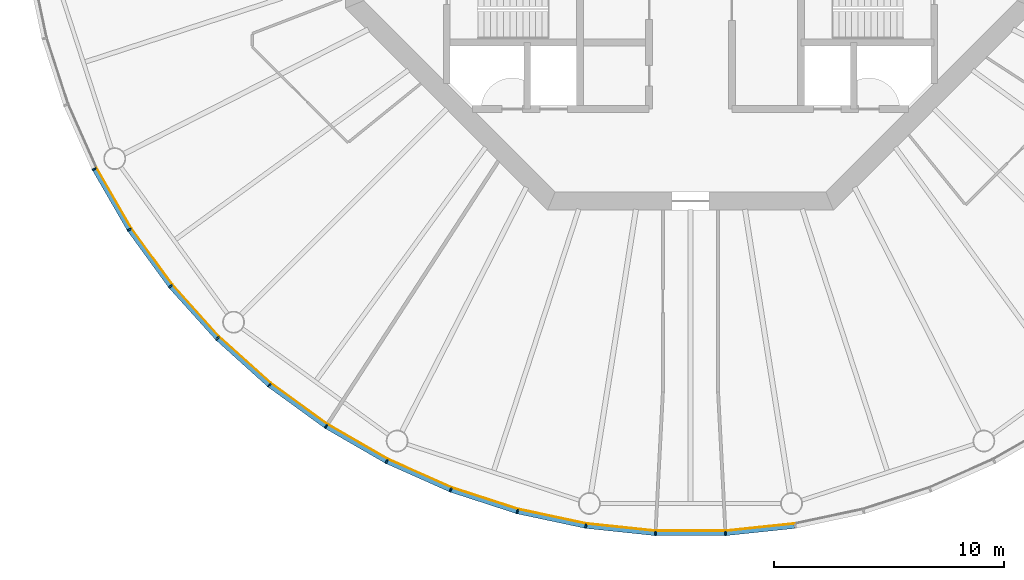
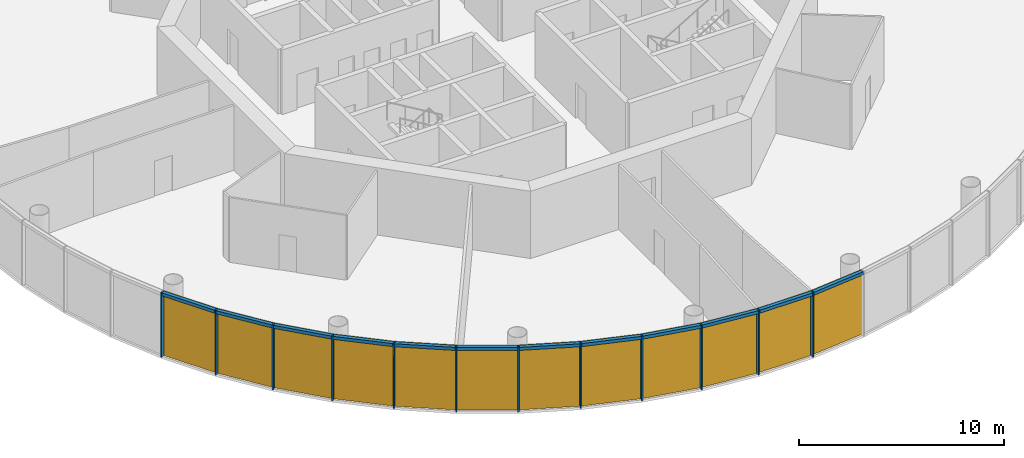
# One storey, part 7 of 13: 24 members, 4 curtain walls.
"""IFC4 building model written with IfcOpenShell, lengths in metres."""

from ifc_helpers import new_model, si_unit, direction, frame, origin, origin_2d, place, context, subcontext, project, spatial, polyline, rectangle, outline, extrude, material, layer, layer_set, material_profile, profile_set, type_object, element, aggregate, save


model = new_model("IFC4")

# Units and contexts
model_context = context("Model", 3, precision=1e-05, world=origin(), true_north=direction((0.0, 1.0)))
body_context = subcontext(model_context, "Body", "Model", "MODEL_VIEW")
ifc_project = project(units=[si_unit("LENGTHUNIT", "METRE"), si_unit("AREAUNIT", "SQUARE_METRE"), si_unit("VOLUMEUNIT", "CUBIC_METRE"), si_unit("PLANEANGLEUNIT", "RADIAN"), si_unit("MASSUNIT", "GRAM", prefix="KILO")], contexts=[model_context])

# Member
ifc_material_1 = material(Name="Anodised aluminium", Category="aluminium")
ifc_material_profile_1 = material_profile(ifc_material_1, rectangle(XDim=0.06494140625, YDim=0.195068359375, at=origin_2d()), Name="Mullion 65 x 195 mm anodised aluminium")
ifc_profile_set_1 = profile_set([ifc_material_profile_1], Name="Anodised aluminium")
member_type_1 = type_object("IfcMemberType", Name="Mullion 65 x 195 mm anodised aluminium", PredefinedType="MULLION", material=ifc_profile_set_1)
site_placement = place(None, origin())
building_placement = place(site_placement, origin())
storey_placement = place(building_placement, frame((0.0, 0.0, 298.0)))
member_1_placement = place(storey_placement, frame((64.073974609375, 66.7900390625, 0.0), z_axis=(0.0, 0.0, 1.0), x_axis=(0.45399049974, -0.891006524188, 0.0)))
member_1 = element("IfcMember", 1, at=member_1_placement, type_object=member_type_1, Name="MULLION L68-33", PredefinedType="MULLION", context=body_context, shape_type="SweptSolid", body=[
    extrude(rectangle(XDim=0.06494140625, YDim=0.195068359375, at=origin_2d()), origin(), (0.0, 0.0, 1.0), 3.85009765625),
])

member_2_placement = place(storey_placement, frame((65.5966796875, 64.15234375, 0.0), z_axis=(0.0, 0.0, 1.0), x_axis=(0.544639035015, -0.838670567945, 0.0)))
member_2 = element("IfcMember", 2, at=member_2_placement, type_object=member_type_1, Name="MULLION L68-34", PredefinedType="MULLION", context=body_context, shape_type="SweptSolid", body=[
    extrude(rectangle(XDim=0.06494140625, YDim=0.195068359375, at=origin_2d()), origin(), (0.0, 0.0, 1.0), 3.85009765625),
])

member_3_placement = place(storey_placement, frame((67.386962890625, 61.688232421875, 0.0), z_axis=(0.0, 0.0, 1.0), x_axis=(0.62932039105, -0.777145961457, 0.0)))
member_3 = element("IfcMember", 3, at=member_3_placement, type_object=member_type_1, Name="MULLION L68-35", PredefinedType="MULLION", context=body_context, shape_type="SweptSolid", body=[
    extrude(rectangle(XDim=0.06494140625, YDim=0.195068359375, at=origin_2d()), origin(), (0.0, 0.0, 1.0), 3.85009765625),
])

member_4_placement = place(storey_placement, frame((69.425048828125, 59.425048828125, 0.0), z_axis=(0.0, 0.0, 1.0), x_axis=(0.707106781187, -0.707106781187, 0.0)))
member_4 = element("IfcMember", 4, at=member_4_placement, type_object=member_type_1, Name="MULLION L68-36", PredefinedType="MULLION", context=body_context, shape_type="SweptSolid", body=[
    extrude(rectangle(XDim=0.06494140625, YDim=0.195068359375, at=origin_2d()), origin(), (0.0, 0.0, 1.0), 3.85009765625),
])

member_5_placement = place(storey_placement, frame((71.688232421875, 57.386962890625, 0.0), z_axis=(0.0, 0.0, 1.0), x_axis=(0.777145961457, -0.62932039105, 0.0)))
member_5 = element("IfcMember", 5, at=member_5_placement, type_object=member_type_1, Name="MULLION L68-37", PredefinedType="MULLION", context=body_context, shape_type="SweptSolid", body=[
    extrude(rectangle(XDim=0.06494140625, YDim=0.195068359375, at=origin_2d()), origin(), (0.0, 0.0, 1.0), 3.85009765625),
])

member_6_placement = place(storey_placement, frame((74.15234375, 55.5966796875, 0.0), z_axis=(0.0, 0.0, 1.0), x_axis=(0.838670567945, -0.544639035015, 0.0)))
member_6 = element("IfcMember", 6, at=member_6_placement, type_object=member_type_1, Name="MULLION L68-38", PredefinedType="MULLION", context=body_context, shape_type="SweptSolid", body=[
    extrude(rectangle(XDim=0.06494140625, YDim=0.195068359375, at=origin_2d()), origin(), (0.0, 0.0, 1.0), 3.85009765625),
])

member_7_placement = place(storey_placement, frame((76.7900390625, 54.073974609375, 0.0), z_axis=(0.0, 0.0, 1.0), x_axis=(0.891006524188, -0.45399049974, 0.0)))
member_7 = element("IfcMember", 7, at=member_7_placement, type_object=member_type_1, Name="MULLION L68-39", PredefinedType="MULLION", context=body_context, shape_type="SweptSolid", body=[
    extrude(rectangle(XDim=0.06494140625, YDim=0.195068359375, at=origin_2d()), origin(), (0.0, 0.0, 1.0), 3.85009765625),
])

member_8_placement = place(storey_placement, frame((79.572509765625, 52.835205078125, 0.0), z_axis=(0.0, 0.0, 1.0), x_axis=(0.933580426497, -0.358367949545, 0.0)))
member_8 = element("IfcMember", 8, at=member_8_placement, type_object=member_type_1, Name="MULLION L68-40", PredefinedType="MULLION", context=body_context, shape_type="SweptSolid", body=[
    extrude(rectangle(XDim=0.06494140625, YDim=0.195068359375, at=origin_2d()), origin(), (0.0, 0.0, 1.0), 3.85009765625),
])

member_9_placement = place(storey_placement, frame((82.468994140625, 51.89404296875, 0.0), z_axis=(0.0, 0.0, 1.0), x_axis=(0.965925826289, -0.258819045103, 0.0)))
member_9 = element("IfcMember", 9, at=member_9_placement, type_object=member_type_1, Name="MULLION L68-41", PredefinedType="MULLION", context=body_context, shape_type="SweptSolid", body=[
    extrude(rectangle(XDim=0.06494140625, YDim=0.195068359375, at=origin_2d()), origin(), (0.0, 0.0, 1.0), 3.85009765625),
])

member_10_placement = place(storey_placement, frame((85.4482421875, 51.2607421875, 0.0), z_axis=(0.0, 0.0, 1.0), x_axis=(0.987688340595, -0.15643446504, 0.0)))
member_10 = element("IfcMember", 10, at=member_10_placement, type_object=member_type_1, Name="MULLION L68-42", PredefinedType="MULLION", context=body_context, shape_type="SweptSolid", body=[
    extrude(rectangle(XDim=0.06494140625, YDim=0.195068359375, at=origin_2d()), origin(), (0.0, 0.0, 1.0), 3.85009765625),
])

member_11_placement = place(storey_placement, frame((88.47705078125, 50.9423828125, 0.0), z_axis=(0.0, 0.0, 1.0), x_axis=(0.998629534755, -0.052335956243, 0.0)))
member_11 = element("IfcMember", 11, at=member_11_placement, type_object=member_type_1, Name="MULLION L68-43", PredefinedType="MULLION", context=body_context, shape_type="SweptSolid", body=[
    extrude(rectangle(XDim=0.06494140625, YDim=0.195068359375, at=origin_2d()), origin(), (0.0, 0.0, 1.0), 3.85009765625),
])

member_12_placement = place(storey_placement, frame((91.52294921875, 50.9423828125, 0.0), z_axis=(0.0, 0.0, 1.0), x_axis=(0.998629534755, 0.052335956243, 0.0)))
member_12 = element("IfcMember", 12, at=member_12_placement, type_object=member_type_1, Name="MULLION L68-44", PredefinedType="MULLION", context=body_context, shape_type="SweptSolid", body=[
    extrude(rectangle(XDim=0.06494140625, YDim=0.195068359375, at=origin_2d()), origin(), (0.0, 0.0, 1.0), 3.85009765625),
])

ifc_material_2 = material(Name="Anodised aluminium", Category="aluminium")
ifc_material_profile_2 = material_profile(ifc_material_2, rectangle(XDim=0.195068359375, YDim=0.179931640625, at=origin_2d()), Name="Transom 180 x 195 mm anodised aluminium")
ifc_profile_set_2 = profile_set([ifc_material_profile_2], Name="Anodised aluminium")
member_type_2 = type_object("IfcMemberType", Name="Transom 180 x 195 mm anodised aluminium", PredefinedType="USERDEFINED", material=ifc_profile_set_2)
member_13_placement = place(storey_placement, frame((64.092529296875, 66.75732421875, 3.760009765625), z_axis=(0.500028367561, -0.866009025146, 0.0), x_axis=(0.866009025146, 0.500028367561, 0.0)))
member_13 = element("IfcMember", 13, at=member_13_placement, type_object=member_type_2, Name="TRANSOM L68-33", ObjectType="TRANSOM", PredefinedType="USERDEFINED", context=body_context, shape_type="SweptSolid", body=[
    extrude(rectangle(XDim=0.195068359375, YDim=0.179931640625, at=origin_2d()), origin(), (0.0, 0.0, 1.0), 2.970458984375),
])

member_14_placement = place(storey_placement, frame((65.618896484375, 64.121826171875, 3.760009765625), z_axis=(0.587765987476, -0.809030990733, 0.0), x_axis=(0.809030990733, 0.587765987476, 0.0)))
member_14 = element("IfcMember", 14, at=member_14_placement, type_object=member_type_2, Name="TRANSOM L68-34", ObjectType="TRANSOM", PredefinedType="USERDEFINED", context=body_context, shape_type="SweptSolid", body=[
    extrude(rectangle(XDim=0.195068359375, YDim=0.179931640625, at=origin_2d()), origin(), (0.0, 0.0, 1.0), 2.97021484375),
])

member_15_placement = place(storey_placement, frame((67.412109375, 61.660400390625, 3.760009765625), z_axis=(0.669110027395, -0.743163354343, 0.0), x_axis=(0.743163354343, 0.669110027395, 0.0)))
member_15 = element("IfcMember", 15, at=member_15_placement, type_object=member_type_2, Name="TRANSOM L68-35", ObjectType="TRANSOM", PredefinedType="USERDEFINED", context=body_context, shape_type="SweptSolid", body=[
    extrude(rectangle(XDim=0.195068359375, YDim=0.179931640625, at=origin_2d()), origin(), (0.0, 0.0, 1.0), 2.970458984375),
])

member_16_placement = place(storey_placement, frame((69.452880859375, 59.399658203125, 3.760009765625), z_axis=(0.743163354343, -0.669110027395, 0.0), x_axis=(0.669110027395, 0.743163354343, 0.0)))
member_16 = element("IfcMember", 16, at=member_16_placement, type_object=member_type_2, Name="TRANSOM L68-36", ObjectType="TRANSOM", PredefinedType="USERDEFINED", context=body_context, shape_type="SweptSolid", body=[
    extrude(rectangle(XDim=0.195068359375, YDim=0.179931640625, at=origin_2d()), origin(), (0.0, 0.0, 1.0), 2.970458984375),
])

member_17_placement = place(storey_placement, frame((71.71875, 57.36474609375, 3.760009765625), z_axis=(0.809030990733, -0.587765987476, 0.0), x_axis=(0.587765987476, 0.809030990733, 0.0)))
member_17 = element("IfcMember", 17, at=member_17_placement, type_object=member_type_2, Name="TRANSOM L68-37", ObjectType="TRANSOM", PredefinedType="USERDEFINED", context=body_context, shape_type="SweptSolid", body=[
    extrude(rectangle(XDim=0.195068359375, YDim=0.179931640625, at=origin_2d()), origin(), (0.0, 0.0, 1.0), 2.97021484375),
])

member_18_placement = place(storey_placement, frame((74.184814453125, 55.577880859375, 3.760009765625), z_axis=(0.866009025146, -0.500028367561, 0.0), x_axis=(0.500028367561, 0.866009025146, 0.0)))
member_18 = element("IfcMember", 18, at=member_18_placement, type_object=member_type_2, Name="TRANSOM L68-38", ObjectType="TRANSOM", PredefinedType="USERDEFINED", context=body_context, shape_type="SweptSolid", body=[
    extrude(rectangle(XDim=0.195068359375, YDim=0.179931640625, at=origin_2d()), origin(), (0.0, 0.0, 1.0), 2.970458984375),
])

member_19_placement = place(storey_placement, frame((76.82421875, 54.05859375, 3.760009765625), z_axis=(0.913550406593, -0.406725527369, 0.0), x_axis=(0.406725527369, 0.913550406593, 0.0)))
member_19 = element("IfcMember", 19, at=member_19_placement, type_object=member_type_2, Name="TRANSOM L68-39", ObjectType="TRANSOM", PredefinedType="USERDEFINED", context=body_context, shape_type="SweptSolid", body=[
    extrude(rectangle(XDim=0.195068359375, YDim=0.179931640625, at=origin_2d()), origin(), (0.0, 0.0, 1.0), 2.970703125),
])

member_20_placement = place(storey_placement, frame((79.608154296875, 52.823486328125, 3.760009765625), z_axis=(0.951047960094, -0.309043326415, 0.0), x_axis=(0.309043326415, 0.951047960094, 0.0)))
member_20 = element("IfcMember", 20, at=member_20_placement, type_object=member_type_2, Name="TRANSOM L68-40", ObjectType="TRANSOM", PredefinedType="USERDEFINED", context=body_context, shape_type="SweptSolid", body=[
    extrude(rectangle(XDim=0.195068359375, YDim=0.179931640625, at=origin_2d()), origin(), (0.0, 0.0, 1.0), 2.970458984375),
])

member_21_placement = place(storey_placement, frame((82.505859375, 51.885986328125, 3.760009765625), z_axis=(0.978141510112, -0.207940342877, 0.0), x_axis=(0.207940342877, 0.978141510112, 0.0)))
member_21 = element("IfcMember", 21, at=member_21_placement, type_object=member_type_2, Name="TRANSOM L68-41", ObjectType="TRANSOM", PredefinedType="USERDEFINED", context=body_context, shape_type="SweptSolid", body=[
    extrude(rectangle(XDim=0.195068359375, YDim=0.179931640625, at=origin_2d()), origin(), (0.0, 0.0, 1.0), 2.970458984375),
])

member_22_placement = place(storey_placement, frame((85.485595703125, 51.256591796875, 3.760009765625), z_axis=(0.994528397827, -0.104466577987, 0.0), x_axis=(0.104466577987, 0.994528397827, 0.0)))
member_22 = element("IfcMember", 22, at=member_22_placement, type_object=member_type_2, Name="TRANSOM L68-42", ObjectType="TRANSOM", PredefinedType="USERDEFINED", context=body_context, shape_type="SweptSolid", body=[
    extrude(rectangle(XDim=0.195068359375, YDim=0.179931640625, at=origin_2d()), origin(), (0.0, 0.0, 1.0), 2.970458984375),
])

member_23_placement = place(storey_placement, frame((88.5146484375, 50.942138671875, 3.760009765625), z_axis=(1.0, 0.0, 0.0), x_axis=(0.0, 1.0, 0.0)))
member_23 = element("IfcMember", 23, at=member_23_placement, type_object=member_type_2, Name="TRANSOM L68-43", ObjectType="TRANSOM", PredefinedType="USERDEFINED", context=body_context, shape_type="SweptSolid", body=[
    extrude(rectangle(XDim=0.195068359375, YDim=0.179931640625, at=origin_2d()), origin(), (0.0, 0.0, 1.0), 2.970703125),
])

member_24_placement = place(storey_placement, frame((91.560302734375, 50.9462890625, 3.760009765625), z_axis=(0.994528397827, 0.104466577987, 0.0), x_axis=(-0.104466577987, 0.994528397827, 0.0)))
member_24 = element("IfcMember", 24, at=member_24_placement, type_object=member_type_2, Name="TRANSOM L68-44", ObjectType="TRANSOM", PredefinedType="USERDEFINED", context=body_context, shape_type="SweptSolid", body=[
    extrude(rectangle(XDim=0.195068359375, YDim=0.179931640625, at=origin_2d()), origin(), (0.0, 0.0, 1.0), 2.970458984375),
])

# Site, building, storey
site = spatial("IfcSite", under=ifc_project, at=site_placement, CompositionType="ELEMENT")
building = spatial("IfcBuilding", under=site, at=building_placement, Name="Entoto Ring Tower", CompositionType="ELEMENT")
storey = spatial("IfcBuildingStorey", under=building, at=storey_placement, Name="L68", CompositionType="ELEMENT", Elevation=298.0)

# Curtain wall
ifc_material_3 = material(Name="Clear low-iron glass", Category="glass")
ifc_layer = layer(ifc_material_3, 0.033935546875)
ifc_layer_set = layer_set([ifc_layer], Name="Clear low-iron glass")
curtain_wall_type = type_object("IfcCurtainWallType", Name="Curtain wall system CW5 glazing 34 mm", PredefinedType="NOTDEFINED", material=ifc_layer_set)
curtain_wall_1_placement = place(storey_placement, origin())
curtain_wall_1 = element("IfcCurtainWall", 25, at=curtain_wall_1_placement, inside=storey, type_object=curtain_wall_type, Name="CW5 L68-12", PredefinedType="NOTDEFINED", context=body_context, shape_type="SweptSolid", body=[
    extrude(outline(polyline([(64.160888671875, 66.834228515625), (65.678466796875, 64.20556640625), (67.462646484375, 61.749755859375), (69.493896484375, 59.493896484375), (69.51806640625, 59.51806640625), (67.4892578125, 61.771240234375), (65.70703125, 64.22412109375), (64.191162109375, 66.849853515625), (64.160888671875, 66.834228515625)])), origin(), (0.0, 0.0, 1.0), 3.85009765625),
])

aggregate(curtain_wall_1, [member_1, member_2, member_3, member_13, member_14, member_15])

curtain_wall_2_placement = place(storey_placement, origin())
curtain_wall_2 = element("IfcCurtainWall", 26, at=curtain_wall_2_placement, inside=storey, type_object=curtain_wall_type, Name="CW5 L68-13", PredefinedType="NOTDEFINED", context=body_context, shape_type="SweptSolid", body=[
    extrude(outline(polyline([(69.493896484375, 59.493896484375), (71.749755859375, 57.462646484375), (74.20556640625, 55.678466796875), (76.834228515625, 54.160888671875), (76.849853515625, 54.191162109375), (74.22412109375, 55.70703125), (71.771240234375, 57.4892578125), (69.51806640625, 59.51806640625), (69.493896484375, 59.493896484375)])), origin(), (0.0, 0.0, 1.0), 3.85009765625),
])

aggregate(curtain_wall_2, [member_4, member_5, member_6, member_16, member_17, member_18])

curtain_wall_3_placement = place(storey_placement, origin())
curtain_wall_3 = element("IfcCurtainWall", 27, at=curtain_wall_3_placement, inside=storey, type_object=curtain_wall_type, Name="CW5 L68-14", PredefinedType="NOTDEFINED", context=body_context, shape_type="SweptSolid", body=[
    extrude(outline(polyline([(76.834228515625, 54.160888671875), (79.607421875, 52.92626953125), (82.494140625, 51.988037109375), (85.46337890625, 51.35693359375), (85.46875, 51.390625), (82.503173828125, 52.02099609375), (79.61962890625, 52.9580078125), (76.849853515625, 54.191162109375), (76.834228515625, 54.160888671875)])), origin(), (0.0, 0.0, 1.0), 3.85009765625),
])

aggregate(curtain_wall_3, [member_7, member_8, member_9, member_19, member_20, member_21])

curtain_wall_4_placement = place(storey_placement, origin())
curtain_wall_4 = element("IfcCurtainWall", 28, at=curtain_wall_4_placement, inside=storey, type_object=curtain_wall_type, Name="CW5 L68-15", PredefinedType="NOTDEFINED", context=body_context, shape_type="SweptSolid", body=[
    extrude(outline(polyline([(85.46337890625, 51.35693359375), (88.482177734375, 51.039794921875), (91.517822265625, 51.039794921875), (94.53662109375, 51.35693359375), (94.53125, 51.390625), (91.515869140625, 51.07373046875), (88.484130859375, 51.07373046875), (85.46875, 51.390625), (85.46337890625, 51.35693359375)])), origin(), (0.0, 0.0, 1.0), 3.85009765625),
])

aggregate(curtain_wall_4, [member_10, member_11, member_12, member_22, member_23, member_24])

save(model, "model.ifc")
